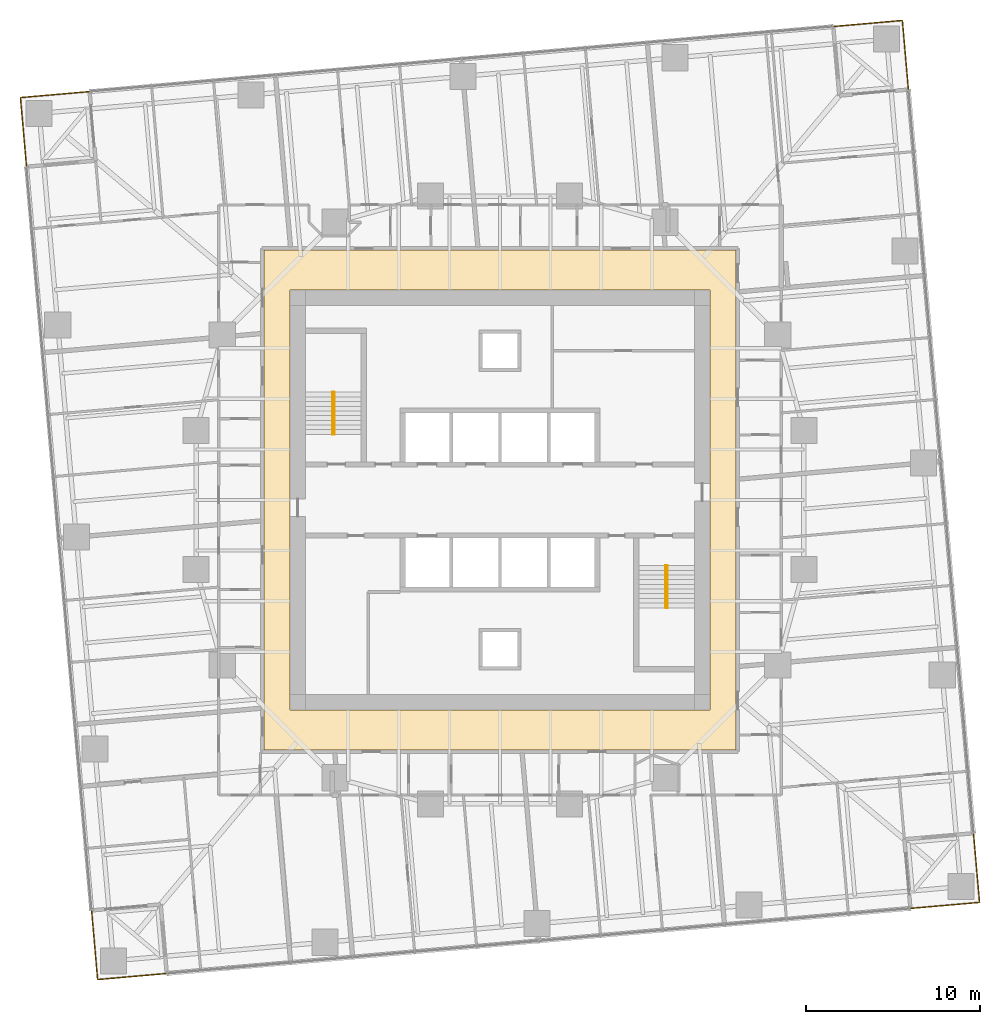
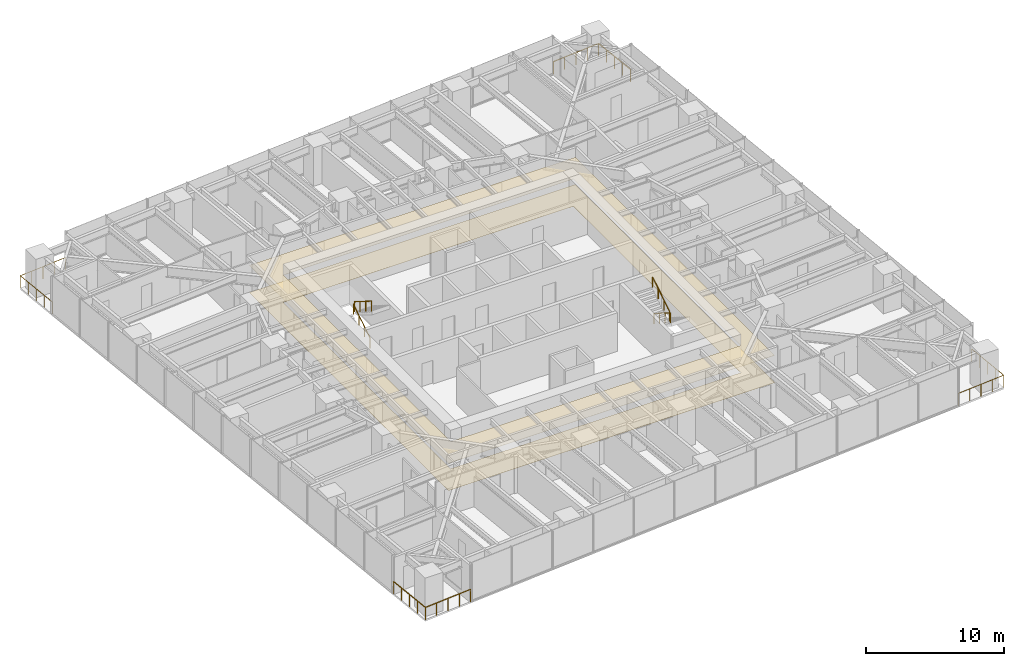
# One storey, part 14 of 14: 8 railings, 2 coverings, 2 elements without a shape of their own.
"""IFC4 building model written with IfcOpenShell, lengths in metres."""

import ifcopenshell
import ifcopenshell.guid

model = None  # the IFC model being written
_history = None  # IfcOwnerHistory: only IFC2X3 demands one
_inside = {}  # id of a spatial element -> (the spatial element, [elements in it])
_under = {}  # id of a project, library or spatial element -> (it, [spatial elements below it])
_declared = {}  # id of a project -> (the project, [libraries it declares])
_typed = {}  # id of a type object -> (the type object, [elements of that type])
_made_of = {}  # id of a material, layer set ... -> (it, [elements and type objects made of it])


def new_model(schema):
    """Start an empty IFC model of exactly this schema.

    Asked for "IFC4X3", IfcOpenShell would pick the latest addendum, in which some entities
    have other attributes; the version numbers below select the first issue.
    IFC2X3 requires an IfcOwnerHistory on every rooted entity: one is made here for all.
    """
    global model, _history
    if schema == "IFC4X3":
        model = ifcopenshell.file(schema_version=(4, 3, 0, 0))
    else:
        model = ifcopenshell.file(schema=schema)
    _inside.clear()
    _under.clear()
    _declared.clear()
    _typed.clear()
    _made_of.clear()
    _history = None
    if model.schema == "IFC2X3":
        org = make("IfcOrganization", Name="unknown")
        user = make(
            "IfcPersonAndOrganization",
            ThePerson=make("IfcPerson", FamilyName="unknown"),
            TheOrganization=org,
        )
        app = make(
            "IfcApplication",
            ApplicationDeveloper=org,
            Version="unknown",
            ApplicationFullName="unknown",
            ApplicationIdentifier="unknown",
        )
        _history = make(
            "IfcOwnerHistory",
            OwningUser=user,
            OwningApplication=app,
            ChangeAction="ADDED",
            CreationDate=0,
        )
    return model


def make(cls, **values):
    """One entity of the class cls with the attributes given. An attribute that is None is left unset."""
    return model.create_entity(
        cls, **{name: value for name, value in values.items() if value is not None}
    )


def rooted(cls, **values):
    """An entity with a GlobalId (a new one), such as an element, a storey or a relation."""
    return make(cls, GlobalId=ifcopenshell.guid.new(), OwnerHistory=_history, **values)


def si_unit(unit_type, name, prefix=None):
    """IfcSIUnit, for example si_unit("LENGTHUNIT", "METRE", prefix="MILLI")."""
    return make("IfcSIUnit", UnitType=unit_type, Prefix=prefix, Name=name)


def assignment(units):
    """IfcUnitAssignment: the units of a project."""
    return None if units is None else make("IfcUnitAssignment", Units=units)


def point(xyz):
    """IfcCartesianPoint."""
    return None if xyz is None else make("IfcCartesianPoint", Coordinates=xyz)


def direction(xyz):
    """IfcDirection."""
    return None if xyz is None else make("IfcDirection", DirectionRatios=xyz)


def frame(location, z_axis=None, x_axis=None):
    """IfcAxis2Placement3D, a coordinate frame: its origin and axes. An axis left out is left unset."""
    return make(
        "IfcAxis2Placement3D",
        Location=point(location),
        Axis=direction(z_axis),
        RefDirection=direction(x_axis),
    )


def frame_2d(location, x_axis=None):
    """IfcAxis2Placement2D, a coordinate frame in the plane: its origin and x axis."""
    return make(
        "IfcAxis2Placement2D", Location=point(location), RefDirection=direction(x_axis)
    )


def origin():
    """The frame at (0, 0, 0) with its axes left unset."""
    return frame((0.0, 0.0, 0.0))


def origin_2d():
    """The frame at (0, 0) in the plane with its x axis left unset."""
    return frame_2d((0.0, 0.0))


def place(relative_to, where):
    """IfcLocalPlacement: puts the frame where relative to a parent placement (None: the world)."""
    return make(
        "IfcLocalPlacement", PlacementRelTo=relative_to, RelativePlacement=where
    )


def context(
    kind, dimensions, precision=None, world=None, true_north=None, identifier=None
):
    """IfcGeometricRepresentationContext, for example the 3D "Model" context."""
    return make(
        "IfcGeometricRepresentationContext",
        ContextIdentifier=identifier,
        ContextType=kind,
        CoordinateSpaceDimension=dimensions,
        Precision=precision,
        WorldCoordinateSystem=world,
        TrueNorth=true_north,
    )


def subcontext(parent, identifier, kind, view, scale=None):
    """IfcGeometricRepresentationSubContext, for example "Body" below "Model"."""
    return make(
        "IfcGeometricRepresentationSubContext",
        ContextIdentifier=identifier,
        ContextType=kind,
        ParentContext=parent,
        TargetScale=scale,
        TargetView=view,
    )


def project(units=None, contexts=None):
    """IfcProject with its units and contexts."""
    return rooted(
        "IfcProject",
        Name="project",
        RepresentationContexts=contexts,
        UnitsInContext=assignment(units),
    )


def spatial(cls, under=None, at=None, **own):
    """A site, building, storey or space (cls), placed at a placement, below another one or the project."""
    s = rooted(cls, ObjectPlacement=at, **own)
    if under is not None:
        _under.setdefault(under.id(), (under, []))[1].append(s)
    return s


def polyline(points):
    """IfcPolyline through the points."""
    return make("IfcPolyline", Points=[point(p) for p in points])


def profile(cls, at=None, kind="AREA", **sizes):
    """A parametric profile (cls). Its sizes go by their IFC names, for example OverallWidth=200.0."""
    return make(cls, ProfileType=kind, Position=at, **sizes)


def circle(**sizes):
    """IfcCircleProfileDef."""
    return profile("IfcCircleProfileDef", **sizes)


def outline(outer, holes=None, kind="AREA"):
    """IfcArbitraryClosedProfileDef: a profile drawn as a closed curve; with holes, ...WithVoids."""
    if holes is None:
        return make("IfcArbitraryClosedProfileDef", ProfileType=kind, OuterCurve=outer)
    return make(
        "IfcArbitraryProfileDefWithVoids",
        ProfileType=kind,
        OuterCurve=outer,
        InnerCurves=holes,
    )


def extrude(swept, where, along, depth):
    """IfcExtrudedAreaSolid: the profile swept, set in the frame where, extruded along a direction by depth."""
    return make(
        "IfcExtrudedAreaSolid",
        SweptArea=swept,
        Position=where,
        ExtrudedDirection=direction(along),
        Depth=depth,
    )


def shape(context_of_items, identifier, shape_type, items):
    """IfcShapeRepresentation: the items that make up one representation, for example the "Body"."""
    return make(
        "IfcShapeRepresentation",
        ContextOfItems=context_of_items,
        RepresentationIdentifier=identifier,
        RepresentationType=shape_type,
        Items=items,
    )


def material(Name=None, Category=None):
    """IfcMaterial."""
    return make("IfcMaterial", Name=Name, Category=Category)


def layer(
    of_material, thickness, ventilated=None, Name=None, Category=None, Priority=None
):
    """IfcMaterialLayer: one layer of a wall or slab, of a material (None: an air gap)."""
    return make(
        "IfcMaterialLayer",
        Material=of_material,
        LayerThickness=thickness,
        IsVentilated=ventilated,
        Name=Name,
        Category=Category,
        Priority=Priority,
    )


def layer_set(layers, Name=None):
    """IfcMaterialLayerSet."""
    return make("IfcMaterialLayerSet", MaterialLayers=layers, LayerSetName=Name)


def made_of(thing, what):
    """Note that an element or type object is made of a material, layer set ...; save() writes the relation."""
    if what is not None:
        _made_of.setdefault(what.id(), (what, []))[1].append(thing)
    return thing


def type_object(cls, material=None, **own):
    """A type object (cls), such as IfcWallType, which elements share."""
    return made_of(rooted(cls, **own), material)


def element(
    cls,
    number,
    at=None,
    inside=None,
    cuts=None,
    type_object=None,
    material=None,
    context=None,
    identifier="Body",
    shape_type=None,
    held_by="IfcProductDefinitionShape",
    body=None,
    shapes=None,
    **own,
):
    """One element of the class cls, such as IfcWall. Its Tag is "e" and its number.

    at: its placement. inside: the storey or other place that contains it. cuts: it is an
    opening in that element (IfcRelVoidsElement). A single representation is given by context,
    identifier, shape_type and body (its items); several are given by shapes. held_by: the class
    of the entity that holds the representations. save() writes the other relations.
    """
    e = rooted(cls, Tag="e%d" % number, ObjectPlacement=at, **own)
    if body is not None:
        shapes = [shape(context, identifier, shape_type, body)]
    if shapes is not None:
        e.Representation = make(held_by, Representations=shapes)
    if inside is not None:
        _inside.setdefault(inside.id(), (inside, []))[1].append(e)
    if cuts is not None:
        rooted(
            "IfcRelVoidsElement", RelatingBuildingElement=cuts, RelatedOpeningElement=e
        )
    if type_object is not None:
        _typed.setdefault(type_object.id(), (type_object, []))[1].append(e)
    return made_of(e, material)


def aggregate(whole, parts):
    """IfcRelAggregates: a whole, such as a stair, and the parts it consists of."""
    return rooted("IfcRelAggregates", RelatingObject=whole, RelatedObjects=parts)


def save(model, path):
    """Write the relations noted so far, then the file.

    IfcRelAggregates (storeys below a building ...), IfcRelContainedInSpatialStructure (elements
    in a storey), IfcRelDefinesByType, IfcRelAssociatesMaterial and IfcRelDeclares: one each for
    every whole, place, type object, material and project.
    """
    for whole, parts in _under.values():
        aggregate(whole, parts)
    for where, things in _inside.values():
        rooted(
            "IfcRelContainedInSpatialStructure",
            RelatedElements=things,
            RelatingStructure=where,
        )
    for kind, things in _typed.values():
        rooted("IfcRelDefinesByType", RelatedObjects=things, RelatingType=kind)
    for what, things in _made_of.values():
        rooted("IfcRelAssociatesMaterial", RelatedObjects=things, RelatingMaterial=what)
    for by, libraries in _declared.values():
        rooted("IfcRelDeclares", RelatingContext=by, RelatedDefinitions=libraries)
    model.write(path)


model = new_model("IFC4")

# Units and contexts
model_context = context("Model", 3, precision=1e-05, world=origin(), true_north=direction((0.0, 1.0)))
body_context = subcontext(model_context, "Body", "Model", "MODEL_VIEW")
ifc_project = project(units=[si_unit("LENGTHUNIT", "METRE"), si_unit("AREAUNIT", "SQUARE_METRE"), si_unit("VOLUMEUNIT", "CUBIC_METRE"), si_unit("PLANEANGLEUNIT", "RADIAN"), si_unit("MASSUNIT", "GRAM", prefix="KILO")], contexts=[model_context])

# Site, building, storey
site_placement = place(None, origin())
site = spatial("IfcSite", under=ifc_project, at=site_placement, CompositionType="ELEMENT")
building_placement = place(site_placement, origin())
building = spatial("IfcBuilding", under=site, at=building_placement, Name="Torsade Residences", CompositionType="ELEMENT")
storey_placement = place(building_placement, frame((0.0, 0.0, 60.800048828125)))
storey = spatial("IfcBuildingStorey", under=building, at=storey_placement, Name="L16", CompositionType="ELEMENT", Elevation=60.800048828125)

# Coverings
ifc_material_1 = material(Name="Nylon carpet tile on underlay", Category="textile")
ifc_layer_1 = layer(ifc_material_1, 0.010009765625)
ifc_layer_set_1 = layer_set([ifc_layer_1], Name="Nylon carpet tile on underlay")
covering_type_1 = type_object("IfcCoveringType", Name="CORRIDOR CARPET TILE 10", PredefinedType="FLOORING", material=ifc_layer_set_1)
covering_1_placement = place(storey_placement, origin())
element("IfcCovering", 1, at=covering_1_placement, inside=storey, type_object=covering_type_1, Name="Corridor carpet L16", PredefinedType="FLOORING", context=body_context, shape_type="SweptSolid", body=[
    extrude(outline(polyline([(53.60009765625, 15.60009765625), (53.60009765625, 44.39990234375), (26.39990234375, 44.39990234375), (26.39990234375, 15.60009765625), (53.60009765625, 15.60009765625)]), holes=[polyline([(52.10009765625, 42.10009765625), (27.89990234375, 42.10009765625), (27.89990234375, 17.89990234375), (52.10009765625, 17.89990234375), (52.10009765625, 42.10009765625)])]), origin(), (0.0, 0.0, 1.0), 0.010009765625),
])
ifc_material_2 = material(Name="Plasterboard on suspended steel grid", Category="steel")
ifc_layer_2 = layer(ifc_material_2, 0.012939453125)
ifc_layer_set_2 = layer_set([ifc_layer_2], Name="Plasterboard on suspended steel grid")
covering_type_2 = type_object("IfcCoveringType", Name="CORRIDOR SUSPENDED CEILING 13", PredefinedType="CEILING", material=ifc_layer_set_2)
covering_2_placement = place(storey_placement, frame((0.0, 0.0, 2.39990234375)))
element("IfcCovering", 2, at=covering_2_placement, inside=storey, type_object=covering_type_2, Name="Corridor ceiling L16", PredefinedType="CEILING", context=body_context, shape_type="SweptSolid", body=[
    extrude(outline(polyline([(53.60009765625, 15.60009765625), (53.60009765625, 44.39990234375), (26.39990234375, 44.39990234375), (26.39990234375, 15.60009765625), (53.60009765625, 15.60009765625)]), holes=[polyline([(52.10009765625, 42.10009765625), (27.89990234375, 42.10009765625), (27.89990234375, 17.89990234375), (52.10009765625, 17.89990234375), (52.10009765625, 42.10009765625)])]), origin(), (0.0, 0.0, 1.0), 0.012939453125),
])

# Stair, railings
ifc_material_3 = material(Name="Precast concrete 40 MPa", Category="concrete")
stair_type = type_object("IfcStairType", Name="HALF-TURN FIRE STAIR 1500x3400", PredefinedType="HALF_TURN_STAIR", material=ifc_material_3)
stair_1_placement = place(storey_placement, origin())
stair_1 = element("IfcStair", 3, at=stair_1_placement, inside=storey, type_object=stair_type, Name="Stair ST1 L16", PredefinedType="HALF_TURN_STAIR")
ifc_material_4 = material(Name="Steel handrail", Category="steel")
railing_type_1 = type_object("IfcRailingType", Name="STAIR HANDRAIL 900", PredefinedType="HANDRAIL", material=ifc_material_4)
railing_1_placement = place(storey_placement, frame((30.35009765625, 33.780029296875, 0.169921875)))
railing_1 = element("IfcRailing", 4, at=railing_1_placement, type_object=railing_type_1, Name="Handrail ST1 flight 1 L16", PredefinedType="HANDRAIL", context=body_context, shape_type="SweptSolid", body=[
    extrude(circle(Radius=0.02392578125, at=origin_2d()), frame((0.0, 0.0, 0.8759765625), z_axis=(0.0, 0.846221481393, 0.532831309544), x_axis=(-1.0, 0.0, 0.0)), (0.0, 0.0, 1.0), 2.87158203125),
    extrude(circle(Radius=0.02099609375, at=origin_2d()), origin(), (0.0, 0.0, 1.0), 0.851806640625),
    extrude(circle(Radius=0.02099609375, at=origin_2d()), frame((0.0, 0.81005859375, 0.510009765625)), (0.0, 0.0, 1.0), 0.851806640625),
    extrude(circle(Radius=0.02099609375, at=origin_2d()), frame((0.0, 1.619873046875, 1.02001953125)), (0.0, 0.0, 1.0), 0.851806640625),
    extrude(circle(Radius=0.02099609375, at=origin_2d()), frame((0.0, 2.429931640625, 1.530029296875)), (0.0, 0.0, 1.0), 0.851806640625),
])
railing_2_placement = place(storey_placement, frame((30.449951171875, 36.2099609375, 1.869873046875)))
railing_2 = element("IfcRailing", 5, at=railing_2_placement, type_object=railing_type_1, Name="Handrail ST1 flight 2 L16", PredefinedType="HANDRAIL", context=body_context, shape_type="SweptSolid", body=[
    extrude(circle(Radius=0.02392578125, at=origin_2d()), frame((0.0, 0.0, 0.8759765625), z_axis=(0.0, -0.846221481393, 0.532831309544), x_axis=(1.0, 0.0, 0.0)), (0.0, 0.0, 1.0), 2.87158203125),
    extrude(circle(Radius=0.02099609375, at=origin_2d()), origin(), (0.0, 0.0, 1.0), 0.851806640625),
    extrude(circle(Radius=0.02099609375, at=origin_2d()), frame((0.0, -0.81005859375, 0.510009765625)), (0.0, 0.0, 1.0), 0.851806640625),
    extrude(circle(Radius=0.02099609375, at=origin_2d()), frame((0.0, -1.619873046875, 1.02001953125)), (0.0, 0.0, 1.0), 0.851806640625),
    extrude(circle(Radius=0.02099609375, at=origin_2d()), frame((0.0, -2.429931640625, 1.530029296875)), (0.0, 0.0, 1.0), 0.851806640625),
])
aggregate(stair_1, [railing_1, railing_2])

stair_2_placement = place(storey_placement, origin())
stair_2 = element("IfcStair", 6, at=stair_2_placement, inside=storey, type_object=stair_type, Name="Stair ST2 L16", PredefinedType="HALF_TURN_STAIR")
railing_3_placement = place(storey_placement, frame((49.64990234375, 26.219970703125, 0.169921875)))
railing_3 = element("IfcRailing", 7, at=railing_3_placement, type_object=railing_type_1, Name="Handrail ST2 flight 1 L16", PredefinedType="HANDRAIL", context=body_context, shape_type="SweptSolid", body=[
    extrude(circle(Radius=0.02392578125, at=origin_2d()), frame((0.0, 0.0, 0.8759765625), z_axis=(0.0, -0.846221481393, 0.532831309544), x_axis=(1.0, 0.0, 0.0)), (0.0, 0.0, 1.0), 2.87158203125),
    extrude(circle(Radius=0.02099609375, at=origin_2d()), origin(), (0.0, 0.0, 1.0), 0.851806640625),
    extrude(circle(Radius=0.02099609375, at=origin_2d()), frame((0.0, -0.81005859375, 0.510009765625)), (0.0, 0.0, 1.0), 0.851806640625),
    extrude(circle(Radius=0.02099609375, at=origin_2d()), frame((0.0, -1.619873046875, 1.02001953125)), (0.0, 0.0, 1.0), 0.851806640625),
    extrude(circle(Radius=0.02099609375, at=origin_2d()), frame((0.0, -2.429931640625, 1.530029296875)), (0.0, 0.0, 1.0), 0.851806640625),
])
railing_4_placement = place(storey_placement, frame((49.550048828125, 23.7900390625, 1.869873046875)))
railing_4 = element("IfcRailing", 8, at=railing_4_placement, type_object=railing_type_1, Name="Handrail ST2 flight 2 L16", PredefinedType="HANDRAIL", context=body_context, shape_type="SweptSolid", body=[
    extrude(circle(Radius=0.02392578125, at=origin_2d()), frame((0.0, 0.0, 0.8759765625), z_axis=(0.0, 0.846221481393, 0.532831309544), x_axis=(-1.0, 0.0, 0.0)), (0.0, 0.0, 1.0), 2.87158203125),
    extrude(circle(Radius=0.02099609375, at=origin_2d()), origin(), (0.0, 0.0, 1.0), 0.851806640625),
    extrude(circle(Radius=0.02099609375, at=origin_2d()), frame((0.0, 0.81005859375, 0.510009765625)), (0.0, 0.0, 1.0), 0.851806640625),
    extrude(circle(Radius=0.02099609375, at=origin_2d()), frame((0.0, 1.619873046875, 1.02001953125)), (0.0, 0.0, 1.0), 0.851806640625),
    extrude(circle(Radius=0.02099609375, at=origin_2d()), frame((0.0, 2.429931640625, 1.530029296875)), (0.0, 0.0, 1.0), 0.851806640625),
])
aggregate(stair_2, [railing_3, railing_4])

# Railings
ifc_material_5 = material(Name="Laminated glass balustrade", Category="glass")
railing_type_2 = type_object("IfcRailingType", Name="TERRACE GLASS BALUSTRADE 1100", PredefinedType="BALUSTRADE", material=ifc_material_5)
railing_5_placement = place(storey_placement, frame((63.640625, 6.470947265625, 0.0)))
element("IfcRailing", 9, at=railing_5_placement, inside=storey, type_object=railing_type_2, Name="Terrace balustrade SE L16", PredefinedType="BALUSTRADE", context=body_context, shape_type="SweptSolid", body=[
    extrude(circle(Radius=0.02392578125, at=origin_2d()), frame((0.0, 0.0, 1.076171875), z_axis=(0.99619464492, 0.087156350505, 0.0), x_axis=(-0.087156350505, 0.99619464492, 0.0)), (0.0, 0.0, 1.0), 4.0),
    extrude(circle(Radius=0.02392578125, at=origin_2d()), frame((3.98486328125, 0.3486328125, 1.076171875), z_axis=(-0.087161650072, 0.99619418125, 0.0), x_axis=(-0.99619418125, -0.087161650072, 0.0)), (0.0, 0.0, 1.0), 3.999755859375),
    extrude(circle(Radius=0.02099609375, at=origin_2d()), origin(), (0.0, 0.0, 1.0), 1.052001953125),
    extrude(circle(Radius=0.02099609375, at=origin_2d()), frame((0.99609375, 0.087158203125, 0.0)), (0.0, 0.0, 1.0), 1.052001953125),
    extrude(circle(Radius=0.02099609375, at=origin_2d()), frame((1.992431640625, 0.17431640625, 0.0)), (0.0, 0.0, 1.0), 1.052001953125),
    extrude(circle(Radius=0.02099609375, at=origin_2d()), frame((2.98876953125, 0.261474609375, 0.0)), (0.0, 0.0, 1.0), 1.052001953125),
    extrude(circle(Radius=0.02099609375, at=origin_2d()), frame((3.98486328125, 0.3486328125, 0.0)), (0.0, 0.0, 1.0), 1.052001953125),
    extrude(circle(Radius=0.02099609375, at=origin_2d()), frame((3.897705078125, 1.3447265625, 0.0)), (0.0, 0.0, 1.0), 1.052001953125),
    extrude(circle(Radius=0.02099609375, at=origin_2d()), frame((3.810546875, 2.3408203125, 0.0)), (0.0, 0.0, 1.0), 1.052001953125),
    extrude(circle(Radius=0.02099609375, at=origin_2d()), frame((3.723388671875, 3.337158203125, 0.0)), (0.0, 0.0, 1.0), 1.052001953125),
    extrude(circle(Radius=0.02099609375, at=origin_2d()), frame((3.63623046875, 4.333251953125, 0.0)), (0.0, 0.0, 1.0), 1.052001953125),
])
railing_6_placement = place(storey_placement, frame((63.529052734375, 53.640625, 0.0)))
element("IfcRailing", 10, at=railing_6_placement, inside=storey, type_object=railing_type_2, Name="Terrace balustrade NE L16", PredefinedType="BALUSTRADE", context=body_context, shape_type="SweptSolid", body=[
    extrude(circle(Radius=0.02392578125, at=origin_2d()), frame((0.0, 0.0, 1.076171875), z_axis=(-0.087156350505, 0.99619464492, 0.0), x_axis=(-0.99619464492, -0.087156350505, 0.0)), (0.0, 0.0, 1.0), 4.0),
    extrude(circle(Radius=0.02392578125, at=origin_2d()), frame((-0.3486328125, 3.98486328125, 1.076171875), z_axis=(-0.99619418125, -0.087161650072, 0.0), x_axis=(0.087161650072, -0.99619418125, 0.0)), (0.0, 0.0, 1.0), 3.999755859375),
    extrude(circle(Radius=0.02099609375, at=origin_2d()), origin(), (0.0, 0.0, 1.0), 1.052001953125),
    extrude(circle(Radius=0.02099609375, at=origin_2d()), frame((-0.087158203125, 0.99609375, 0.0)), (0.0, 0.0, 1.0), 1.052001953125),
    extrude(circle(Radius=0.02099609375, at=origin_2d()), frame((-0.17431640625, 1.992431640625, 0.0)), (0.0, 0.0, 1.0), 1.052001953125),
    extrude(circle(Radius=0.02099609375, at=origin_2d()), frame((-0.261474609375, 2.98876953125, 0.0)), (0.0, 0.0, 1.0), 1.052001953125),
    extrude(circle(Radius=0.02099609375, at=origin_2d()), frame((-0.3486328125, 3.98486328125, 0.0)), (0.0, 0.0, 1.0), 1.052001953125),
    extrude(circle(Radius=0.02099609375, at=origin_2d()), frame((-1.3447265625, 3.897705078125, 0.0)), (0.0, 0.0, 1.0), 1.052001953125),
    extrude(circle(Radius=0.02099609375, at=origin_2d()), frame((-2.3408203125, 3.810546875, 0.0)), (0.0, 0.0, 1.0), 1.052001953125),
    extrude(circle(Radius=0.02099609375, at=origin_2d()), frame((-3.337158203125, 3.723388671875, 0.0)), (0.0, 0.0, 1.0), 1.052001953125),
    extrude(circle(Radius=0.02099609375, at=origin_2d()), frame((-4.333251953125, 3.63623046875, 0.0)), (0.0, 0.0, 1.0), 1.052001953125),
])
railing_7_placement = place(storey_placement, frame((16.359375, 53.529052734375, 0.0)))
element("IfcRailing", 11, at=railing_7_placement, inside=storey, type_object=railing_type_2, Name="Terrace balustrade NW L16", PredefinedType="BALUSTRADE", context=body_context, shape_type="SweptSolid", body=[
    extrude(circle(Radius=0.02392578125, at=origin_2d()), frame((0.0, 0.0, 1.076171875), z_axis=(-0.99619464492, -0.087156350505, 0.0), x_axis=(0.087156350505, -0.99619464492, 0.0)), (0.0, 0.0, 1.0), 4.0),
    extrude(circle(Radius=0.02392578125, at=origin_2d()), frame((-3.98486328125, -0.3486328125, 1.076171875), z_axis=(0.087161650072, -0.99619418125, 0.0), x_axis=(0.99619418125, 0.087161650072, 0.0)), (0.0, 0.0, 1.0), 3.999755859375),
    extrude(circle(Radius=0.02099609375, at=origin_2d()), origin(), (0.0, 0.0, 1.0), 1.052001953125),
    extrude(circle(Radius=0.02099609375, at=origin_2d()), frame((-0.99609375, -0.087158203125, 0.0)), (0.0, 0.0, 1.0), 1.052001953125),
    extrude(circle(Radius=0.02099609375, at=origin_2d()), frame((-1.992431640625, -0.17431640625, 0.0)), (0.0, 0.0, 1.0), 1.052001953125),
    extrude(circle(Radius=0.02099609375, at=origin_2d()), frame((-2.98876953125, -0.261474609375, 0.0)), (0.0, 0.0, 1.0), 1.052001953125),
    extrude(circle(Radius=0.02099609375, at=origin_2d()), frame((-3.98486328125, -0.3486328125, 0.0)), (0.0, 0.0, 1.0), 1.052001953125),
    extrude(circle(Radius=0.02099609375, at=origin_2d()), frame((-3.897705078125, -1.3447265625, 0.0)), (0.0, 0.0, 1.0), 1.052001953125),
    extrude(circle(Radius=0.02099609375, at=origin_2d()), frame((-3.810546875, -2.3408203125, 0.0)), (0.0, 0.0, 1.0), 1.052001953125),
    extrude(circle(Radius=0.02099609375, at=origin_2d()), frame((-3.723388671875, -3.337158203125, 0.0)), (0.0, 0.0, 1.0), 1.052001953125),
    extrude(circle(Radius=0.02099609375, at=origin_2d()), frame((-3.63623046875, -4.333251953125, 0.0)), (0.0, 0.0, 1.0), 1.052001953125),
])
railing_8_placement = place(storey_placement, frame((16.470947265625, 6.359375, 0.0)))
element("IfcRailing", 12, at=railing_8_placement, inside=storey, type_object=railing_type_2, Name="Terrace balustrade SW L16", PredefinedType="BALUSTRADE", context=body_context, shape_type="SweptSolid", body=[
    extrude(circle(Radius=0.02392578125, at=origin_2d()), frame((0.0, 0.0, 1.076171875), z_axis=(0.087156350505, -0.99619464492, 0.0), x_axis=(0.99619464492, 0.087156350505, 0.0)), (0.0, 0.0, 1.0), 4.0),
    extrude(circle(Radius=0.02392578125, at=origin_2d()), frame((0.3486328125, -3.98486328125, 1.076171875), z_axis=(0.99619418125, 0.087161650072, 0.0), x_axis=(-0.087161650072, 0.99619418125, 0.0)), (0.0, 0.0, 1.0), 3.999755859375),
    extrude(circle(Radius=0.02099609375, at=origin_2d()), origin(), (0.0, 0.0, 1.0), 1.052001953125),
    extrude(circle(Radius=0.02099609375, at=origin_2d()), frame((0.087158203125, -0.99609375, 0.0)), (0.0, 0.0, 1.0), 1.052001953125),
    extrude(circle(Radius=0.02099609375, at=origin_2d()), frame((0.17431640625, -1.992431640625, 0.0)), (0.0, 0.0, 1.0), 1.052001953125),
    extrude(circle(Radius=0.02099609375, at=origin_2d()), frame((0.261474609375, -2.98876953125, 0.0)), (0.0, 0.0, 1.0), 1.052001953125),
    extrude(circle(Radius=0.02099609375, at=origin_2d()), frame((0.3486328125, -3.98486328125, 0.0)), (0.0, 0.0, 1.0), 1.052001953125),
    extrude(circle(Radius=0.02099609375, at=origin_2d()), frame((1.3447265625, -3.897705078125, 0.0)), (0.0, 0.0, 1.0), 1.052001953125),
    extrude(circle(Radius=0.02099609375, at=origin_2d()), frame((2.3408203125, -3.810546875, 0.0)), (0.0, 0.0, 1.0), 1.052001953125),
    extrude(circle(Radius=0.02099609375, at=origin_2d()), frame((3.337158203125, -3.723388671875, 0.0)), (0.0, 0.0, 1.0), 1.052001953125),
    extrude(circle(Radius=0.02099609375, at=origin_2d()), frame((4.333251953125, -3.63623046875, 0.0)), (0.0, 0.0, 1.0), 1.052001953125),
])

save(model, "model.ifc")
